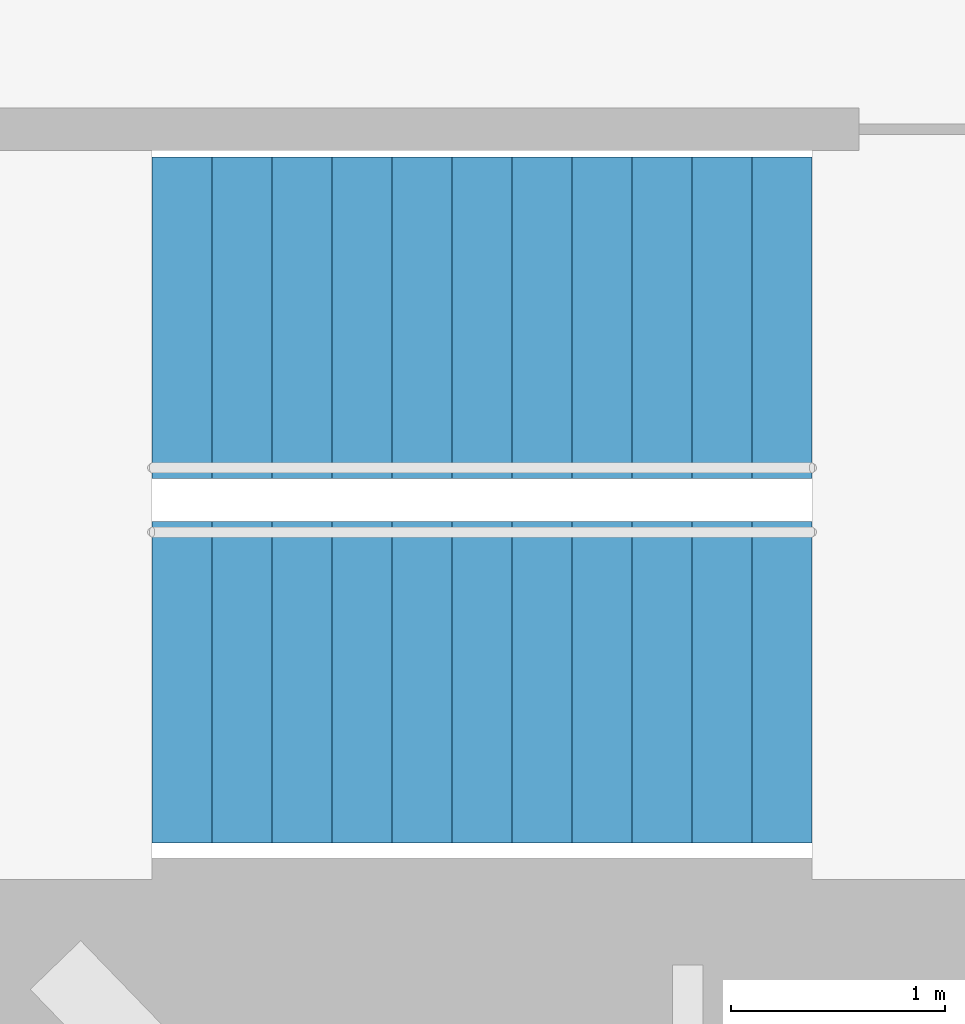
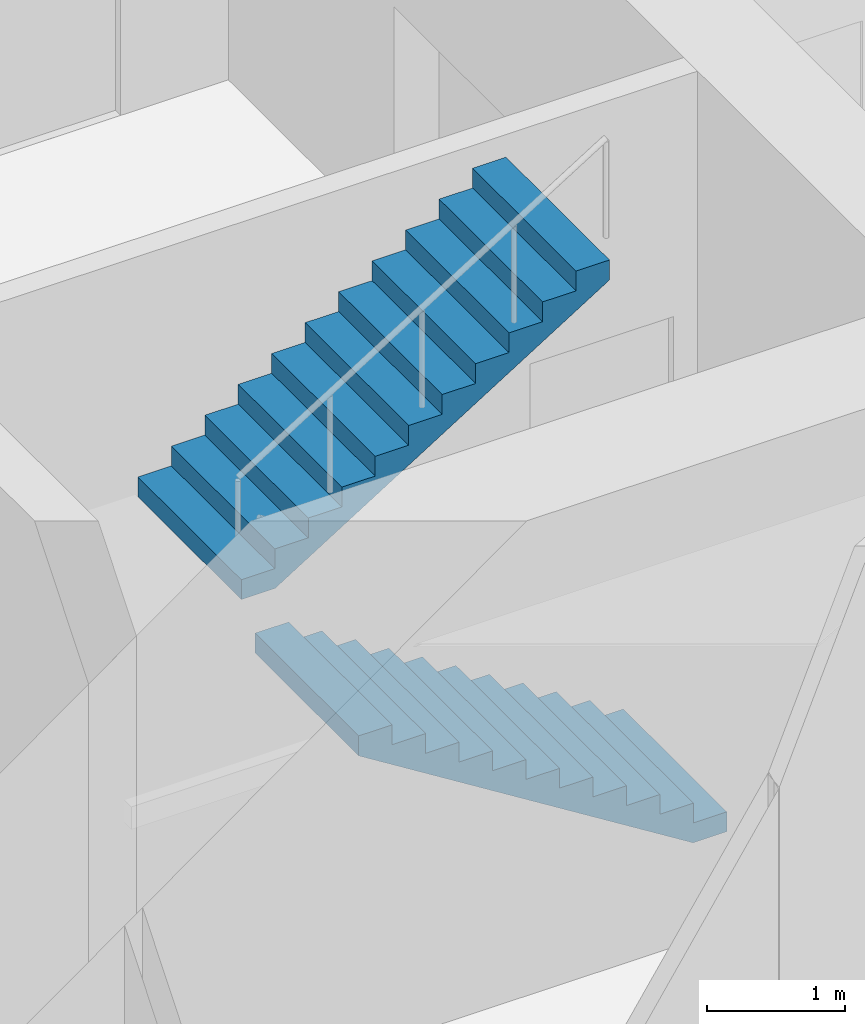
# One storey, part 18 of 19: 2 stair flights, 1 element without a shape of its own.
"""IFC4 building model written with IfcOpenShell, lengths in metres."""

from ifc_helpers import new_model, si_unit, direction, frame, origin, place, context, subcontext, project, spatial, triangles, material, type_object, element, aggregate, save


model = new_model("IFC4")

# Units and contexts
model_context = context("Model", 3, precision=1e-05, world=origin(), true_north=direction((0.0, 1.0)))
body_context = subcontext(model_context, "Body", "Model", "MODEL_VIEW")
ifc_project = project(units=[si_unit("LENGTHUNIT", "METRE"), si_unit("AREAUNIT", "SQUARE_METRE"), si_unit("VOLUMEUNIT", "CUBIC_METRE"), si_unit("PLANEANGLEUNIT", "RADIAN"), si_unit("MASSUNIT", "GRAM", prefix="KILO")], contexts=[model_context])

# Site, building, storey
site_placement = place(None, origin())
site = spatial("IfcSite", under=ifc_project, at=site_placement, CompositionType="ELEMENT")
building_placement = place(site_placement, origin())
building = spatial("IfcBuilding", under=site, at=building_placement, Name="Lantaw Convention Tower", CompositionType="ELEMENT")
storey_placement = place(building_placement, frame((0.0, 0.0, 253.60009765625)))
storey = spatial("IfcBuildingStorey", under=building, at=storey_placement, Name="L59", CompositionType="ELEMENT", Elevation=253.60009765625)

# Stair, stair flights
ifc_material = material(Name="Concrete C35/45", Category="concrete")
stair_type = type_object("IfcStairType", Name="Exit stair 1500 riser 175 in 2 flights", PredefinedType="HALF_TURN_STAIR", material=ifc_material)
stair_placement = place(storey_placement, origin())
stair = element("IfcStair", 1, at=stair_placement, inside=storey, type_object=stair_type, Name="Exit stair S2 L59", PredefinedType="HALF_TURN_STAIR")
stair_flight_type = type_object("IfcStairFlightType", Name="Stair flight 1500 riser 175", PredefinedType="STRAIGHT", material=ifc_material)
stair_flight_1_placement = place(storey_placement, frame((10.580078125, -5.97998046875, 0.0), z_axis=(0.0, 0.0, 1.0), x_axis=(-1.0, 0.0, 0.0)))
stair_flight_1 = element("IfcStairFlight", 2, at=stair_flight_1_placement, type_object=stair_flight_type, Name="S2 flight 1", NumberOfRisers=12, NumberOfTreads=11, PredefinedType="STRAIGHT", RiserHeight=0.175, TreadLength=0.28, context=body_context, shape_type="Tessellation", body=[
    triangles([(0.0, 0.75, 0.0), (0.0, 0.75, 0.175), (0.28, 0.75, 0.0), (0.28, 0.75, 0.175), (0.28, 0.75, 0.35), (0.28283517651771284, 0.75, 0.0), (0.28283517651771284, 0.75, 0.35), (0.56, 0.75, 0.17322801467642948), (0.56, 0.75, 0.35), (0.56, 0.75, 0.5249999999999999), (0.8400000000000001, 0.75, 0.34822801467642944), (0.8400000000000001, 0.75, 0.5249999999999999), (0.8400000000000001, 0.75, 0.7), (1.12, 0.75, 0.5232280146764294), (1.12, 0.75, 0.7), (1.12, 0.75, 0.875), (1.4000000000000001, 0.75, 0.6982280146764295), (1.4000000000000001, 0.75, 0.875), (1.4000000000000001, 0.75, 1.0499999999999998), (1.6800000000000002, 0.75, 0.8732280146764294), (1.6800000000000002, 0.75, 1.0499999999999998), (1.6800000000000002, 0.75, 1.2249999999999999), (1.9600000000000002, 0.75, 1.0482280146764293), (1.9600000000000002, 0.75, 1.2249999999999999), (1.9600000000000002, 0.75, 1.4), (2.24, 0.75, 1.2232280146764294), (2.24, 0.75, 1.4), (2.24, 0.75, 1.575), (2.5200000000000005, 0.75, 1.3982280146764294), (2.5200000000000005, 0.75, 1.575), (2.5200000000000005, 0.75, 1.75), (2.8000000000000003, 0.75, 1.5732280146764293), (2.8000000000000003, 0.75, 1.75), (2.8000000000000003, 0.75, 1.9249999999999998), (3.08, 0.75, 1.7482280146764293), (3.08, 0.75, 1.9249999999999998), (0.0, -0.75, 0.0), (0.0, -0.75, 0.175), (0.28, -0.75, 0.0), (0.28, -0.75, 0.175), (0.28, -0.75, 0.35), (0.28283517651771284, -0.75, 0.0), (0.28283517651771284, -0.75, 0.35), (0.56, -0.75, 0.17322801467642948), (0.56, -0.75, 0.35), (0.56, -0.75, 0.5249999999999999), (0.8400000000000001, -0.75, 0.34822801467642944), (0.8400000000000001, -0.75, 0.5249999999999999), (0.8400000000000001, -0.75, 0.7), (1.12, -0.75, 0.5232280146764294), (1.12, -0.75, 0.7), (1.12, -0.75, 0.875), (1.4000000000000001, -0.75, 0.6982280146764295), (1.4000000000000001, -0.75, 0.875), (1.4000000000000001, -0.75, 1.0499999999999998), (1.6800000000000002, -0.75, 0.8732280146764294), (1.6800000000000002, -0.75, 1.0499999999999998), (1.6800000000000002, -0.75, 1.2249999999999999), (1.9600000000000002, -0.75, 1.0482280146764293), (1.9600000000000002, -0.75, 1.2249999999999999), (1.9600000000000002, -0.75, 1.4), (2.24, -0.75, 1.2232280146764294), (2.24, -0.75, 1.4), (2.24, -0.75, 1.575), (2.5200000000000005, -0.75, 1.3982280146764294), (2.5200000000000005, -0.75, 1.575), (2.5200000000000005, -0.75, 1.75), (2.8000000000000003, -0.75, 1.5732280146764293), (2.8000000000000003, -0.75, 1.75), (2.8000000000000003, -0.75, 1.9249999999999998), (3.08, -0.75, 1.7482280146764293), (3.08, -0.75, 1.9249999999999998), (0.0, 0.15000000000000002, 0.175), (0.0, 0.15000000000000002, 0.0), (0.0, 0.0, 0.175), (0.0, 0.0, 0.0), (0.0, -0.15000000000000002, 0.175), (0.0, -0.15000000000000002, 0.0), (0.28, 0.15000000000000002, 0.35), (0.28, 0.15000000000000002, 0.175), (0.28, 0.0, 0.35), (0.28, 0.0, 0.175), (0.28, -0.15000000000000002, 0.35), (0.28, -0.15000000000000002, 0.175), (0.56, 0.15000000000000002, 0.5249999999999999), (0.56, 0.15000000000000002, 0.35), (0.56, 0.0, 0.5249999999999999), (0.56, 0.0, 0.35), (0.56, -0.15000000000000002, 0.5249999999999999), (0.56, -0.15000000000000002, 0.35), (0.8400000000000001, 0.15000000000000002, 0.7), (0.8400000000000001, 0.15000000000000002, 0.5249999999999999), (0.8400000000000001, 0.0, 0.7), (0.8400000000000001, 0.0, 0.5249999999999999), (0.8400000000000001, -0.15000000000000002, 0.7), (0.8400000000000001, -0.15000000000000002, 0.5249999999999999), (1.12, 0.15000000000000002, 0.875), (1.12, 0.15000000000000002, 0.7), (1.12, 0.0, 0.875), (1.12, 0.0, 0.7), (1.12, -0.15000000000000002, 0.875), (1.12, -0.15000000000000002, 0.7), (1.4000000000000001, 0.15000000000000002, 1.0499999999999998), (1.4000000000000001, 0.15000000000000002, 0.875), (1.4000000000000001, 0.0, 1.0499999999999998), (1.4000000000000001, 0.0, 0.875), (1.4000000000000001, -0.15000000000000002, 1.0499999999999998), (1.4000000000000001, -0.15000000000000002, 0.875), (1.6800000000000002, 0.15000000000000002, 1.2249999999999999), (1.6800000000000002, 0.15000000000000002, 1.0499999999999998), (1.6800000000000002, 0.0, 1.2249999999999999), (1.6800000000000002, 0.0, 1.0499999999999998), (1.6800000000000002, -0.15000000000000002, 1.2249999999999999), (1.6800000000000002, -0.15000000000000002, 1.0499999999999998), (1.9600000000000002, 0.15000000000000002, 1.4), (1.9600000000000002, 0.15000000000000002, 1.2249999999999999), (1.9600000000000002, 0.0, 1.4), (1.9600000000000002, 0.0, 1.2249999999999999), (1.9600000000000002, -0.15000000000000002, 1.4), (1.9600000000000002, -0.15000000000000002, 1.2249999999999999), (2.24, 0.15000000000000002, 1.575), (2.24, 0.15000000000000002, 1.4), (2.24, 0.0, 1.575), (2.24, 0.0, 1.4), (2.24, -0.15000000000000002, 1.575), (2.24, -0.15000000000000002, 1.4), (2.5200000000000005, 0.15000000000000002, 1.75), (2.5200000000000005, 0.15000000000000002, 1.575), (2.5200000000000005, 0.0, 1.75), (2.5200000000000005, 0.0, 1.575), (2.5200000000000005, -0.15000000000000002, 1.75), (2.5200000000000005, -0.15000000000000002, 1.575), (2.8000000000000003, 0.15000000000000002, 1.9249999999999998), (2.8000000000000003, 0.15000000000000002, 1.75), (2.8000000000000003, 0.0, 1.9249999999999998), (2.8000000000000003, 0.0, 1.75), (2.8000000000000003, -0.15000000000000002, 1.9249999999999998), (2.8000000000000003, -0.15000000000000002, 1.75), (0.28283517651771284, 0.15000000000000002, 0.35), (0.28283517651771284, 0.0, 0.35), (0.28283517651771284, -0.15000000000000002, 0.35), (3.08, 0.15000000000000002, 1.9249999999999998), (3.08, 0.0, 1.9249999999999998), (3.08, -0.15000000000000002, 1.9249999999999998), (3.08, 0.15000000000000002, 1.7482280146764293), (3.08, 0.0, 1.7482280146764293), (3.08, -0.15000000000000002, 1.7482280146764293), (2.8000000000000003, 0.15000000000000002, 1.5732280146764293), (2.8000000000000003, 0.0, 1.5732280146764293), (2.8000000000000003, -0.15000000000000002, 1.5732280146764293), (2.5200000000000005, 0.15000000000000002, 1.3982280146764294), (2.5200000000000005, 0.0, 1.3982280146764294), (2.5200000000000005, -0.15000000000000002, 1.3982280146764294), (2.24, 0.15000000000000002, 1.2232280146764294), (2.24, 0.0, 1.2232280146764294), (2.24, -0.15000000000000002, 1.2232280146764294), (1.9600000000000002, 0.15000000000000002, 1.0482280146764293), (1.9600000000000002, 0.0, 1.0482280146764293), (1.9600000000000002, -0.15000000000000002, 1.0482280146764293), (1.6800000000000002, 0.15000000000000002, 0.8732280146764294), (1.6800000000000002, 0.0, 0.8732280146764294), (1.6800000000000002, -0.15000000000000002, 0.8732280146764294), (1.4000000000000001, 0.15000000000000002, 0.6982280146764295), (1.4000000000000001, 0.0, 0.6982280146764295), (1.4000000000000001, -0.15000000000000002, 0.6982280146764295), (1.12, 0.15000000000000002, 0.5232280146764294), (1.12, 0.0, 0.5232280146764294), (1.12, -0.15000000000000002, 0.5232280146764294), (0.8400000000000001, 0.15000000000000002, 0.34822801467642944), (0.8400000000000001, 0.0, 0.34822801467642944), (0.8400000000000001, -0.15000000000000002, 0.34822801467642944), (0.56, 0.15000000000000002, 0.17322801467642948), (0.56, 0.0, 0.17322801467642948), (0.56, -0.15000000000000002, 0.17322801467642948), (0.28283517651771284, 0.15000000000000002, 0.0), (0.28283517651771284, 0.0, 0.0), (0.28283517651771284, -0.15000000000000002, 0.0), (0.28, 0.15000000000000002, 0.0), (0.28, 0.0, 0.0), (0.28, -0.15000000000000002, 0.0)], [[1, 4, 3], [1, 2, 4], [3, 4, 6], [4, 7, 6], [4, 5, 7], [6, 9, 8], [6, 7, 9], [8, 9, 11], [9, 12, 11], [9, 10, 12], [11, 12, 14], [12, 15, 14], [12, 13, 15], [14, 15, 17], [15, 18, 17], [15, 16, 18], [17, 18, 20], [18, 21, 20], [18, 19, 21], [20, 21, 23], [21, 24, 23], [21, 22, 24], [23, 24, 26], [24, 27, 26], [24, 25, 27], [26, 27, 29], [27, 30, 29], [27, 28, 30], [29, 30, 32], [30, 33, 32], [30, 31, 33], [32, 33, 35], [33, 36, 35], [33, 34, 36], [37, 39, 40], [37, 40, 38], [39, 42, 40], [40, 42, 43], [40, 43, 41], [42, 44, 45], [42, 45, 43], [44, 47, 45], [45, 47, 48], [45, 48, 46], [47, 50, 48], [48, 50, 51], [48, 51, 49], [50, 53, 51], [51, 53, 54], [51, 54, 52], [53, 56, 54], [54, 56, 57], [54, 57, 55], [56, 59, 57], [57, 59, 60], [57, 60, 58], [59, 62, 60], [60, 62, 63], [60, 63, 61], [62, 65, 63], [63, 65, 66], [63, 66, 64], [65, 68, 66], [66, 68, 69], [66, 69, 67], [68, 71, 69], [69, 71, 72], [69, 72, 70], [1, 73, 2], [1, 74, 73], [74, 75, 73], [74, 76, 75], [76, 77, 75], [76, 78, 77], [78, 38, 77], [78, 37, 38], [4, 79, 5], [4, 80, 79], [80, 81, 79], [80, 82, 81], [82, 83, 81], [82, 84, 83], [84, 41, 83], [84, 40, 41], [9, 85, 10], [9, 86, 85], [86, 87, 85], [86, 88, 87], [88, 89, 87], [88, 90, 89], [90, 46, 89], [90, 45, 46], [12, 91, 13], [12, 92, 91], [92, 93, 91], [92, 94, 93], [94, 95, 93], [94, 96, 95], [96, 49, 95], [96, 48, 49], [15, 97, 16], [15, 98, 97], [98, 99, 97], [98, 100, 99], [100, 101, 99], [100, 102, 101], [102, 52, 101], [102, 51, 52], [18, 103, 19], [18, 104, 103], [104, 105, 103], [104, 106, 105], [106, 107, 105], [106, 108, 107], [108, 55, 107], [108, 54, 55], [21, 109, 22], [21, 110, 109], [110, 111, 109], [110, 112, 111], [112, 113, 111], [112, 114, 113], [114, 58, 113], [114, 57, 58], [24, 115, 25], [24, 116, 115], [116, 117, 115], [116, 118, 117], [118, 119, 117], [118, 120, 119], [120, 61, 119], [120, 60, 61], [27, 121, 28], [27, 122, 121], [122, 123, 121], [122, 124, 123], [124, 125, 123], [124, 126, 125], [126, 64, 125], [126, 63, 64], [30, 127, 31], [30, 128, 127], [128, 129, 127], [128, 130, 129], [130, 131, 129], [130, 132, 131], [132, 67, 131], [132, 66, 67], [33, 133, 34], [33, 134, 133], [134, 135, 133], [134, 136, 135], [136, 137, 135], [136, 138, 137], [138, 70, 137], [138, 69, 70], [2, 80, 4], [2, 73, 80], [73, 82, 80], [73, 75, 82], [75, 84, 82], [75, 77, 84], [77, 40, 84], [77, 38, 40], [5, 139, 7], [5, 79, 139], [79, 140, 139], [79, 81, 140], [81, 141, 140], [81, 83, 141], [83, 43, 141], [83, 41, 43], [7, 86, 9], [7, 139, 86], [139, 88, 86], [139, 140, 88], [140, 90, 88], [140, 141, 90], [141, 45, 90], [141, 43, 45], [10, 92, 12], [10, 85, 92], [85, 94, 92], [85, 87, 94], [87, 96, 94], [87, 89, 96], [89, 48, 96], [89, 46, 48], [13, 98, 15], [13, 91, 98], [91, 100, 98], [91, 93, 100], [93, 102, 100], [93, 95, 102], [95, 51, 102], [95, 49, 51], [16, 104, 18], [16, 97, 104], [97, 106, 104], [97, 99, 106], [99, 108, 106], [99, 101, 108], [101, 54, 108], [101, 52, 54], [19, 110, 21], [19, 103, 110], [103, 112, 110], [103, 105, 112], [105, 114, 112], [105, 107, 114], [107, 57, 114], [107, 55, 57], [22, 116, 24], [22, 109, 116], [109, 118, 116], [109, 111, 118], [111, 120, 118], [111, 113, 120], [113, 60, 120], [113, 58, 60], [25, 122, 27], [25, 115, 122], [115, 124, 122], [115, 117, 124], [117, 126, 124], [117, 119, 126], [119, 63, 126], [119, 61, 63], [28, 128, 30], [28, 121, 128], [121, 130, 128], [121, 123, 130], [123, 132, 130], [123, 125, 132], [125, 66, 132], [125, 64, 66], [31, 134, 33], [31, 127, 134], [127, 136, 134], [127, 129, 136], [129, 138, 136], [129, 131, 138], [131, 69, 138], [131, 67, 69], [34, 142, 36], [34, 133, 142], [133, 143, 142], [133, 135, 143], [135, 144, 143], [135, 137, 144], [137, 72, 144], [137, 70, 72], [36, 145, 35], [36, 142, 145], [142, 146, 145], [142, 143, 146], [143, 147, 146], [143, 144, 147], [144, 71, 147], [144, 72, 71], [35, 148, 32], [35, 145, 148], [145, 149, 148], [145, 146, 149], [146, 150, 149], [146, 147, 150], [147, 68, 150], [147, 71, 68], [32, 151, 29], [32, 148, 151], [148, 152, 151], [148, 149, 152], [149, 153, 152], [149, 150, 153], [150, 65, 153], [150, 68, 65], [29, 154, 26], [29, 151, 154], [151, 155, 154], [151, 152, 155], [152, 156, 155], [152, 153, 156], [153, 62, 156], [153, 65, 62], [26, 157, 23], [26, 154, 157], [154, 158, 157], [154, 155, 158], [155, 159, 158], [155, 156, 159], [156, 59, 159], [156, 62, 59], [23, 160, 20], [23, 157, 160], [157, 161, 160], [157, 158, 161], [158, 162, 161], [158, 159, 162], [159, 56, 162], [159, 59, 56], [20, 163, 17], [20, 160, 163], [160, 164, 163], [160, 161, 164], [161, 165, 164], [161, 162, 165], [162, 53, 165], [162, 56, 53], [17, 166, 14], [17, 163, 166], [163, 167, 166], [163, 164, 167], [164, 168, 167], [164, 165, 168], [165, 50, 168], [165, 53, 50], [14, 169, 11], [14, 166, 169], [166, 170, 169], [166, 167, 170], [167, 171, 170], [167, 168, 171], [168, 47, 171], [168, 50, 47], [11, 172, 8], [11, 169, 172], [169, 173, 172], [169, 170, 173], [170, 174, 173], [170, 171, 174], [171, 44, 174], [171, 47, 44], [8, 175, 6], [8, 172, 175], [172, 176, 175], [172, 173, 176], [173, 177, 176], [173, 174, 177], [174, 42, 177], [174, 44, 42], [6, 178, 3], [6, 175, 178], [175, 179, 178], [175, 176, 179], [176, 180, 179], [176, 177, 180], [177, 39, 180], [177, 42, 39], [3, 74, 1], [3, 178, 74], [178, 76, 74], [178, 179, 76], [179, 78, 76], [179, 180, 78], [180, 37, 78], [180, 39, 37]], closed=True),
])
stair_flight_2_placement = place(storey_placement, frame((7.5, -4.280029296875, 2.099853515625), z_axis=(0.0, 0.0, 1.0), x_axis=(1.0, 0.0, 0.0)))
stair_flight_2 = element("IfcStairFlight", 3, at=stair_flight_2_placement, type_object=stair_flight_type, Name="S2 flight 2", NumberOfRisers=12, NumberOfTreads=11, PredefinedType="STRAIGHT", RiserHeight=0.175, TreadLength=0.28, context=body_context, shape_type="Tessellation", body=[
    triangles([(0.0, 0.75, 0.0), (0.0, 0.75, 0.175), (0.28, 0.75, 0.0), (0.28, 0.75, 0.175), (0.28, 0.75, 0.35), (0.28283517651771284, 0.75, 0.0), (0.28283517651771284, 0.75, 0.35), (0.56, 0.75, 0.17322801467642948), (0.56, 0.75, 0.35), (0.56, 0.75, 0.5249999999999999), (0.8400000000000001, 0.75, 0.34822801467642944), (0.8400000000000001, 0.75, 0.5249999999999999), (0.8400000000000001, 0.75, 0.7), (1.12, 0.75, 0.5232280146764294), (1.12, 0.75, 0.7), (1.12, 0.75, 0.875), (1.4000000000000001, 0.75, 0.6982280146764295), (1.4000000000000001, 0.75, 0.875), (1.4000000000000001, 0.75, 1.0499999999999998), (1.6800000000000002, 0.75, 0.8732280146764294), (1.6800000000000002, 0.75, 1.0499999999999998), (1.6800000000000002, 0.75, 1.2249999999999999), (1.9600000000000002, 0.75, 1.0482280146764293), (1.9600000000000002, 0.75, 1.2249999999999999), (1.9600000000000002, 0.75, 1.4), (2.24, 0.75, 1.2232280146764294), (2.24, 0.75, 1.4), (2.24, 0.75, 1.575), (2.5200000000000005, 0.75, 1.3982280146764294), (2.5200000000000005, 0.75, 1.575), (2.5200000000000005, 0.75, 1.75), (2.8000000000000003, 0.75, 1.5732280146764293), (2.8000000000000003, 0.75, 1.75), (2.8000000000000003, 0.75, 1.9249999999999998), (3.08, 0.75, 1.7482280146764293), (3.08, 0.75, 1.9249999999999998), (0.0, -0.75, 0.0), (0.0, -0.75, 0.175), (0.28, -0.75, 0.0), (0.28, -0.75, 0.175), (0.28, -0.75, 0.35), (0.28283517651771284, -0.75, 0.0), (0.28283517651771284, -0.75, 0.35), (0.56, -0.75, 0.17322801467642948), (0.56, -0.75, 0.35), (0.56, -0.75, 0.5249999999999999), (0.8400000000000001, -0.75, 0.34822801467642944), (0.8400000000000001, -0.75, 0.5249999999999999), (0.8400000000000001, -0.75, 0.7), (1.12, -0.75, 0.5232280146764294), (1.12, -0.75, 0.7), (1.12, -0.75, 0.875), (1.4000000000000001, -0.75, 0.6982280146764295), (1.4000000000000001, -0.75, 0.875), (1.4000000000000001, -0.75, 1.0499999999999998), (1.6800000000000002, -0.75, 0.8732280146764294), (1.6800000000000002, -0.75, 1.0499999999999998), (1.6800000000000002, -0.75, 1.2249999999999999), (1.9600000000000002, -0.75, 1.0482280146764293), (1.9600000000000002, -0.75, 1.2249999999999999), (1.9600000000000002, -0.75, 1.4), (2.24, -0.75, 1.2232280146764294), (2.24, -0.75, 1.4), (2.24, -0.75, 1.575), (2.5200000000000005, -0.75, 1.3982280146764294), (2.5200000000000005, -0.75, 1.575), (2.5200000000000005, -0.75, 1.75), (2.8000000000000003, -0.75, 1.5732280146764293), (2.8000000000000003, -0.75, 1.75), (2.8000000000000003, -0.75, 1.9249999999999998), (3.08, -0.75, 1.7482280146764293), (3.08, -0.75, 1.9249999999999998), (0.0, 0.15000000000000002, 0.175), (0.0, 0.15000000000000002, 0.0), (0.0, 0.0, 0.175), (0.0, 0.0, 0.0), (0.0, -0.15000000000000002, 0.175), (0.0, -0.15000000000000002, 0.0), (0.28, 0.15000000000000002, 0.35), (0.28, 0.15000000000000002, 0.175), (0.28, 0.0, 0.35), (0.28, 0.0, 0.175), (0.28, -0.15000000000000002, 0.35), (0.28, -0.15000000000000002, 0.175), (0.56, 0.15000000000000002, 0.5249999999999999), (0.56, 0.15000000000000002, 0.35), (0.56, 0.0, 0.5249999999999999), (0.56, 0.0, 0.35), (0.56, -0.15000000000000002, 0.5249999999999999), (0.56, -0.15000000000000002, 0.35), (0.8400000000000001, 0.15000000000000002, 0.7), (0.8400000000000001, 0.15000000000000002, 0.5249999999999999), (0.8400000000000001, 0.0, 0.7), (0.8400000000000001, 0.0, 0.5249999999999999), (0.8400000000000001, -0.15000000000000002, 0.7), (0.8400000000000001, -0.15000000000000002, 0.5249999999999999), (1.12, 0.15000000000000002, 0.875), (1.12, 0.15000000000000002, 0.7), (1.12, 0.0, 0.875), (1.12, 0.0, 0.7), (1.12, -0.15000000000000002, 0.875), (1.12, -0.15000000000000002, 0.7), (1.4000000000000001, 0.15000000000000002, 1.0499999999999998), (1.4000000000000001, 0.15000000000000002, 0.875), (1.4000000000000001, 0.0, 1.0499999999999998), (1.4000000000000001, 0.0, 0.875), (1.4000000000000001, -0.15000000000000002, 1.0499999999999998), (1.4000000000000001, -0.15000000000000002, 0.875), (1.6800000000000002, 0.15000000000000002, 1.2249999999999999), (1.6800000000000002, 0.15000000000000002, 1.0499999999999998), (1.6800000000000002, 0.0, 1.2249999999999999), (1.6800000000000002, 0.0, 1.0499999999999998), (1.6800000000000002, -0.15000000000000002, 1.2249999999999999), (1.6800000000000002, -0.15000000000000002, 1.0499999999999998), (1.9600000000000002, 0.15000000000000002, 1.4), (1.9600000000000002, 0.15000000000000002, 1.2249999999999999), (1.9600000000000002, 0.0, 1.4), (1.9600000000000002, 0.0, 1.2249999999999999), (1.9600000000000002, -0.15000000000000002, 1.4), (1.9600000000000002, -0.15000000000000002, 1.2249999999999999), (2.24, 0.15000000000000002, 1.575), (2.24, 0.15000000000000002, 1.4), (2.24, 0.0, 1.575), (2.24, 0.0, 1.4), (2.24, -0.15000000000000002, 1.575), (2.24, -0.15000000000000002, 1.4), (2.5200000000000005, 0.15000000000000002, 1.75), (2.5200000000000005, 0.15000000000000002, 1.575), (2.5200000000000005, 0.0, 1.75), (2.5200000000000005, 0.0, 1.575), (2.5200000000000005, -0.15000000000000002, 1.75), (2.5200000000000005, -0.15000000000000002, 1.575), (2.8000000000000003, 0.15000000000000002, 1.9249999999999998), (2.8000000000000003, 0.15000000000000002, 1.75), (2.8000000000000003, 0.0, 1.9249999999999998), (2.8000000000000003, 0.0, 1.75), (2.8000000000000003, -0.15000000000000002, 1.9249999999999998), (2.8000000000000003, -0.15000000000000002, 1.75), (0.28283517651771284, 0.15000000000000002, 0.35), (0.28283517651771284, 0.0, 0.35), (0.28283517651771284, -0.15000000000000002, 0.35), (3.08, 0.15000000000000002, 1.9249999999999998), (3.08, 0.0, 1.9249999999999998), (3.08, -0.15000000000000002, 1.9249999999999998), (3.08, 0.15000000000000002, 1.7482280146764293), (3.08, 0.0, 1.7482280146764293), (3.08, -0.15000000000000002, 1.7482280146764293), (2.8000000000000003, 0.15000000000000002, 1.5732280146764293), (2.8000000000000003, 0.0, 1.5732280146764293), (2.8000000000000003, -0.15000000000000002, 1.5732280146764293), (2.5200000000000005, 0.15000000000000002, 1.3982280146764294), (2.5200000000000005, 0.0, 1.3982280146764294), (2.5200000000000005, -0.15000000000000002, 1.3982280146764294), (2.24, 0.15000000000000002, 1.2232280146764294), (2.24, 0.0, 1.2232280146764294), (2.24, -0.15000000000000002, 1.2232280146764294), (1.9600000000000002, 0.15000000000000002, 1.0482280146764293), (1.9600000000000002, 0.0, 1.0482280146764293), (1.9600000000000002, -0.15000000000000002, 1.0482280146764293), (1.6800000000000002, 0.15000000000000002, 0.8732280146764294), (1.6800000000000002, 0.0, 0.8732280146764294), (1.6800000000000002, -0.15000000000000002, 0.8732280146764294), (1.4000000000000001, 0.15000000000000002, 0.6982280146764295), (1.4000000000000001, 0.0, 0.6982280146764295), (1.4000000000000001, -0.15000000000000002, 0.6982280146764295), (1.12, 0.15000000000000002, 0.5232280146764294), (1.12, 0.0, 0.5232280146764294), (1.12, -0.15000000000000002, 0.5232280146764294), (0.8400000000000001, 0.15000000000000002, 0.34822801467642944), (0.8400000000000001, 0.0, 0.34822801467642944), (0.8400000000000001, -0.15000000000000002, 0.34822801467642944), (0.56, 0.15000000000000002, 0.17322801467642948), (0.56, 0.0, 0.17322801467642948), (0.56, -0.15000000000000002, 0.17322801467642948), (0.28283517651771284, 0.15000000000000002, 0.0), (0.28283517651771284, 0.0, 0.0), (0.28283517651771284, -0.15000000000000002, 0.0), (0.28, 0.15000000000000002, 0.0), (0.28, 0.0, 0.0), (0.28, -0.15000000000000002, 0.0)], [[1, 4, 3], [1, 2, 4], [3, 4, 6], [4, 7, 6], [4, 5, 7], [6, 9, 8], [6, 7, 9], [8, 9, 11], [9, 12, 11], [9, 10, 12], [11, 12, 14], [12, 15, 14], [12, 13, 15], [14, 15, 17], [15, 18, 17], [15, 16, 18], [17, 18, 20], [18, 21, 20], [18, 19, 21], [20, 21, 23], [21, 24, 23], [21, 22, 24], [23, 24, 26], [24, 27, 26], [24, 25, 27], [26, 27, 29], [27, 30, 29], [27, 28, 30], [29, 30, 32], [30, 33, 32], [30, 31, 33], [32, 33, 35], [33, 36, 35], [33, 34, 36], [37, 39, 40], [37, 40, 38], [39, 42, 40], [40, 42, 43], [40, 43, 41], [42, 44, 45], [42, 45, 43], [44, 47, 45], [45, 47, 48], [45, 48, 46], [47, 50, 48], [48, 50, 51], [48, 51, 49], [50, 53, 51], [51, 53, 54], [51, 54, 52], [53, 56, 54], [54, 56, 57], [54, 57, 55], [56, 59, 57], [57, 59, 60], [57, 60, 58], [59, 62, 60], [60, 62, 63], [60, 63, 61], [62, 65, 63], [63, 65, 66], [63, 66, 64], [65, 68, 66], [66, 68, 69], [66, 69, 67], [68, 71, 69], [69, 71, 72], [69, 72, 70], [1, 73, 2], [1, 74, 73], [74, 75, 73], [74, 76, 75], [76, 77, 75], [76, 78, 77], [78, 38, 77], [78, 37, 38], [4, 79, 5], [4, 80, 79], [80, 81, 79], [80, 82, 81], [82, 83, 81], [82, 84, 83], [84, 41, 83], [84, 40, 41], [9, 85, 10], [9, 86, 85], [86, 87, 85], [86, 88, 87], [88, 89, 87], [88, 90, 89], [90, 46, 89], [90, 45, 46], [12, 91, 13], [12, 92, 91], [92, 93, 91], [92, 94, 93], [94, 95, 93], [94, 96, 95], [96, 49, 95], [96, 48, 49], [15, 97, 16], [15, 98, 97], [98, 99, 97], [98, 100, 99], [100, 101, 99], [100, 102, 101], [102, 52, 101], [102, 51, 52], [18, 103, 19], [18, 104, 103], [104, 105, 103], [104, 106, 105], [106, 107, 105], [106, 108, 107], [108, 55, 107], [108, 54, 55], [21, 109, 22], [21, 110, 109], [110, 111, 109], [110, 112, 111], [112, 113, 111], [112, 114, 113], [114, 58, 113], [114, 57, 58], [24, 115, 25], [24, 116, 115], [116, 117, 115], [116, 118, 117], [118, 119, 117], [118, 120, 119], [120, 61, 119], [120, 60, 61], [27, 121, 28], [27, 122, 121], [122, 123, 121], [122, 124, 123], [124, 125, 123], [124, 126, 125], [126, 64, 125], [126, 63, 64], [30, 127, 31], [30, 128, 127], [128, 129, 127], [128, 130, 129], [130, 131, 129], [130, 132, 131], [132, 67, 131], [132, 66, 67], [33, 133, 34], [33, 134, 133], [134, 135, 133], [134, 136, 135], [136, 137, 135], [136, 138, 137], [138, 70, 137], [138, 69, 70], [2, 80, 4], [2, 73, 80], [73, 82, 80], [73, 75, 82], [75, 84, 82], [75, 77, 84], [77, 40, 84], [77, 38, 40], [5, 139, 7], [5, 79, 139], [79, 140, 139], [79, 81, 140], [81, 141, 140], [81, 83, 141], [83, 43, 141], [83, 41, 43], [7, 86, 9], [7, 139, 86], [139, 88, 86], [139, 140, 88], [140, 90, 88], [140, 141, 90], [141, 45, 90], [141, 43, 45], [10, 92, 12], [10, 85, 92], [85, 94, 92], [85, 87, 94], [87, 96, 94], [87, 89, 96], [89, 48, 96], [89, 46, 48], [13, 98, 15], [13, 91, 98], [91, 100, 98], [91, 93, 100], [93, 102, 100], [93, 95, 102], [95, 51, 102], [95, 49, 51], [16, 104, 18], [16, 97, 104], [97, 106, 104], [97, 99, 106], [99, 108, 106], [99, 101, 108], [101, 54, 108], [101, 52, 54], [19, 110, 21], [19, 103, 110], [103, 112, 110], [103, 105, 112], [105, 114, 112], [105, 107, 114], [107, 57, 114], [107, 55, 57], [22, 116, 24], [22, 109, 116], [109, 118, 116], [109, 111, 118], [111, 120, 118], [111, 113, 120], [113, 60, 120], [113, 58, 60], [25, 122, 27], [25, 115, 122], [115, 124, 122], [115, 117, 124], [117, 126, 124], [117, 119, 126], [119, 63, 126], [119, 61, 63], [28, 128, 30], [28, 121, 128], [121, 130, 128], [121, 123, 130], [123, 132, 130], [123, 125, 132], [125, 66, 132], [125, 64, 66], [31, 134, 33], [31, 127, 134], [127, 136, 134], [127, 129, 136], [129, 138, 136], [129, 131, 138], [131, 69, 138], [131, 67, 69], [34, 142, 36], [34, 133, 142], [133, 143, 142], [133, 135, 143], [135, 144, 143], [135, 137, 144], [137, 72, 144], [137, 70, 72], [36, 145, 35], [36, 142, 145], [142, 146, 145], [142, 143, 146], [143, 147, 146], [143, 144, 147], [144, 71, 147], [144, 72, 71], [35, 148, 32], [35, 145, 148], [145, 149, 148], [145, 146, 149], [146, 150, 149], [146, 147, 150], [147, 68, 150], [147, 71, 68], [32, 151, 29], [32, 148, 151], [148, 152, 151], [148, 149, 152], [149, 153, 152], [149, 150, 153], [150, 65, 153], [150, 68, 65], [29, 154, 26], [29, 151, 154], [151, 155, 154], [151, 152, 155], [152, 156, 155], [152, 153, 156], [153, 62, 156], [153, 65, 62], [26, 157, 23], [26, 154, 157], [154, 158, 157], [154, 155, 158], [155, 159, 158], [155, 156, 159], [156, 59, 159], [156, 62, 59], [23, 160, 20], [23, 157, 160], [157, 161, 160], [157, 158, 161], [158, 162, 161], [158, 159, 162], [159, 56, 162], [159, 59, 56], [20, 163, 17], [20, 160, 163], [160, 164, 163], [160, 161, 164], [161, 165, 164], [161, 162, 165], [162, 53, 165], [162, 56, 53], [17, 166, 14], [17, 163, 166], [163, 167, 166], [163, 164, 167], [164, 168, 167], [164, 165, 168], [165, 50, 168], [165, 53, 50], [14, 169, 11], [14, 166, 169], [166, 170, 169], [166, 167, 170], [167, 171, 170], [167, 168, 171], [168, 47, 171], [168, 50, 47], [11, 172, 8], [11, 169, 172], [169, 173, 172], [169, 170, 173], [170, 174, 173], [170, 171, 174], [171, 44, 174], [171, 47, 44], [8, 175, 6], [8, 172, 175], [172, 176, 175], [172, 173, 176], [173, 177, 176], [173, 174, 177], [174, 42, 177], [174, 44, 42], [6, 178, 3], [6, 175, 178], [175, 179, 178], [175, 176, 179], [176, 180, 179], [176, 177, 180], [177, 39, 180], [177, 42, 39], [3, 74, 1], [3, 178, 74], [178, 76, 74], [178, 179, 76], [179, 78, 76], [179, 180, 78], [180, 37, 78], [180, 39, 37]], closed=True),
])
aggregate(stair, [stair_flight_1, stair_flight_2])

save(model, "model.ifc")
